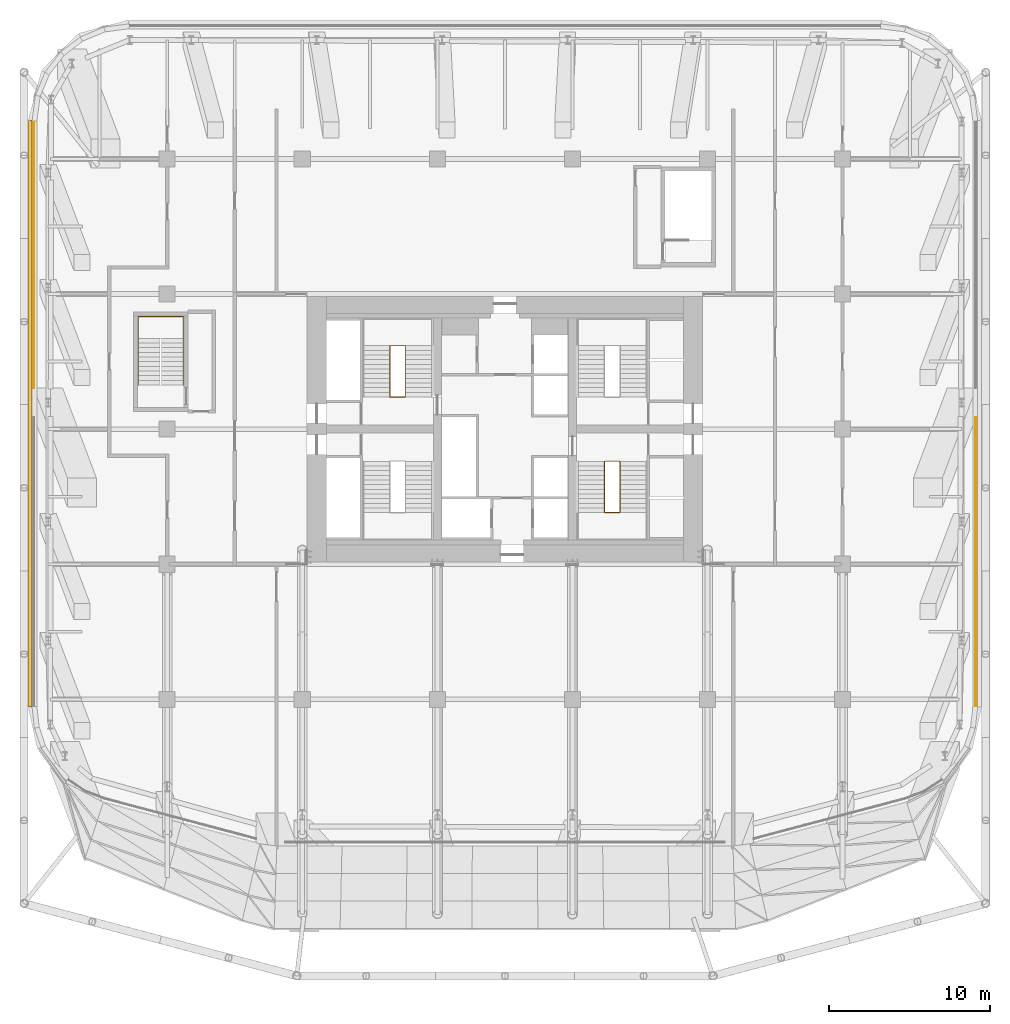
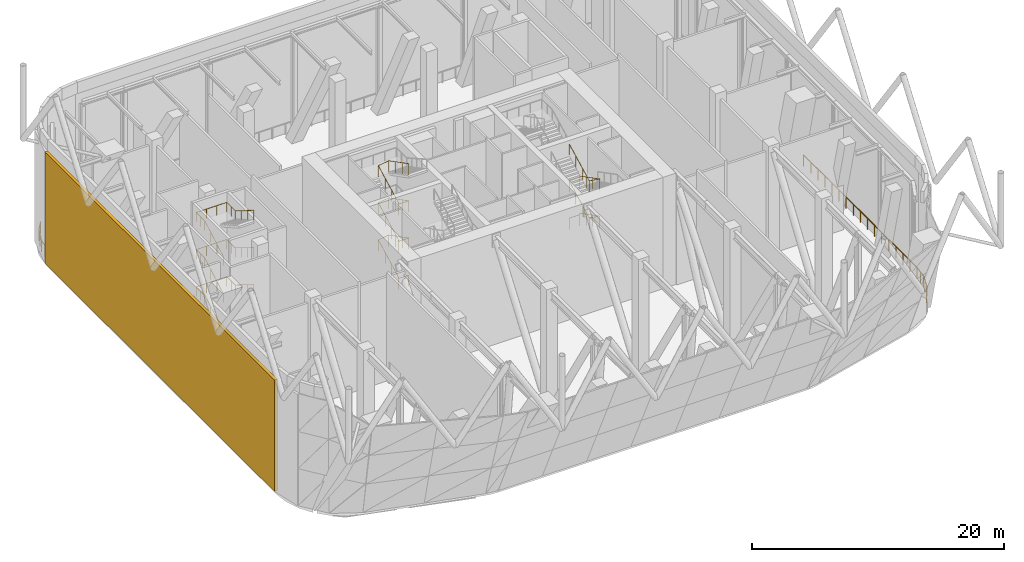
# One storey, part 17 of 19: 10 railings, 1 shading device.
"""IFC4 building model written with IfcOpenShell, lengths in metres."""

from ifc_helpers import new_model, si_unit, direction, frame, frame_2d, origin, origin_2d, place, context, subcontext, project, spatial, rectangle, circle, extrude, material, layer, layer_set, type_object, element, save


model = new_model("IFC4")

# Units and contexts
model_context = context("Model", 3, precision=1e-05, world=origin(), true_north=direction((0.0, 1.0)))
body_context = subcontext(model_context, "Body", "Model", "MODEL_VIEW")
ifc_project = project(units=[si_unit("LENGTHUNIT", "METRE"), si_unit("AREAUNIT", "SQUARE_METRE"), si_unit("VOLUMEUNIT", "CUBIC_METRE"), si_unit("PLANEANGLEUNIT", "RADIAN"), si_unit("MASSUNIT", "GRAM", prefix="KILO")], contexts=[model_context])

# Site, building, storey
site_placement = place(None, origin())
site = spatial("IfcSite", under=ifc_project, at=site_placement, CompositionType="ELEMENT")
building_placement = place(site_placement, origin())
building = spatial("IfcBuilding", under=site, at=building_placement, Name="Marenta Gate Hotel Tower", CompositionType="ELEMENT")
storey_placement = place(building_placement, frame((0.0, 0.0, 86.89990234375)))
storey = spatial("IfcBuildingStorey", under=building, at=storey_placement, Name="L20", CompositionType="ELEMENT", Elevation=86.89990234375)

# Railings
ifc_material_1 = material(Name="Stainless steel", Category="steel")
railing_type_1 = type_object("IfcRailingType", Name="Core stair handrail 950", PredefinedType="HANDRAIL", material=ifc_material_1)
railing_1_placement = place(storey_placement, frame((-22.800048828125, 11.14990234375, 0.163818359375)))
element("IfcRailing", 1, at=railing_1_placement, inside=storey, type_object=railing_type_1, Name="HR-950 L20-RS-Z1-3-KR-1", PredefinedType="HANDRAIL", context=body_context, shape_type="SweptSolid", body=[
    extrude(circle(Radius=0.02392578125, at=origin_2d()), frame((0.0, 0.0, 0.92578125), z_axis=(0.0, 0.870946286338, 0.49137823142), x_axis=(-1.0, 0.0, 0.0)), (0.0, 0.0, 1.0), 3.329833984375),
    extrude(circle(Radius=0.02392578125, at=origin_2d()), frame((0.0, 2.900146484375, 2.56201171875), z_axis=(0.0, 1.0, 0.0), x_axis=(-1.0, 0.0, 0.0)), (0.0, 0.0, 1.0), 1.349853515625),
    extrude(circle(Radius=0.02392578125, at=origin_2d()), frame((0.0, 4.25, 2.56201171875), z_axis=(1.0, 0.0, 0.0), x_axis=(0.0, 1.0, 0.0)), (0.0, 0.0, 1.0), 2.800048828125),
    extrude(circle(Radius=0.02392578125, at=origin_2d()), frame((2.800048828125, 4.25, 2.56201171875), z_axis=(0.0, -1.0, 0.0), x_axis=(1.0, 0.0, 0.0)), (0.0, 0.0, 1.0), 1.349853515625),
    extrude(circle(Radius=0.02392578125, at=origin_2d()), frame((2.800048828125, 2.900146484375, 2.56201171875), z_axis=(0.0, -0.849645691689, 0.527353959494), x_axis=(1.0, 0.0, 0.0)), (0.0, 0.0, 1.0), 3.413330078125),
    extrude(circle(Radius=0.02099609375, at=origin_2d()), origin(), (0.0, 0.0, 1.0), 0.90185546875),
    extrude(circle(Radius=0.02099609375, at=origin_2d()), frame((0.0, 0.966796875, 0.54541015625)), (0.0, 0.0, 1.0), 0.90185546875),
    extrude(circle(Radius=0.02099609375, at=origin_2d()), frame((0.0, 1.933349609375, 1.0908203125)), (0.0, 0.0, 1.0), 0.90185546875),
    extrude(circle(Radius=0.02099609375, at=origin_2d()), frame((0.0, 2.900146484375, 1.63623046875)), (0.0, 0.0, 1.0), 0.90185546875),
    extrude(circle(Radius=0.02099609375, at=origin_2d()), frame((0.0, 3.5751953125, 1.63623046875)), (0.0, 0.0, 1.0), 0.90185546875),
    extrude(circle(Radius=0.02099609375, at=origin_2d()), frame((0.0, 4.25, 1.63623046875)), (0.0, 0.0, 1.0), 0.90185546875),
    extrude(circle(Radius=0.02099609375, at=origin_2d()), frame((0.933349609375, 4.25, 1.63623046875)), (0.0, 0.0, 1.0), 0.90185546875),
    extrude(circle(Radius=0.02099609375, at=origin_2d()), frame((1.86669921875, 4.25, 1.63623046875)), (0.0, 0.0, 1.0), 0.90185546875),
    extrude(circle(Radius=0.02099609375, at=origin_2d()), frame((2.800048828125, 4.25, 1.63623046875)), (0.0, 0.0, 1.0), 0.90185546875),
    extrude(circle(Radius=0.02099609375, at=origin_2d()), frame((2.800048828125, 3.5751953125, 1.63623046875)), (0.0, 0.0, 1.0), 0.90185546875),
    extrude(circle(Radius=0.02099609375, at=origin_2d()), frame((2.800048828125, 2.900146484375, 1.63623046875)), (0.0, 0.0, 1.0), 0.90185546875),
    extrude(circle(Radius=0.02099609375, at=origin_2d()), frame((2.800048828125, 1.933349609375, 2.236328125)), (0.0, 0.0, 1.0), 0.90185546875),
    extrude(circle(Radius=0.02099609375, at=origin_2d()), frame((2.800048828125, 0.966796875, 2.836181640625)), (0.0, 0.0, 1.0), 0.90185546875),
    extrude(circle(Radius=0.02099609375, at=origin_2d()), frame((2.800048828125, 0.0, 3.436279296875)), (0.0, 0.0, 1.0), 0.90185546875),
])
railing_2_placement = place(storey_placement, frame((-22.800048828125, 11.14990234375, 3.763671875)))
element("IfcRailing", 2, at=railing_2_placement, inside=storey, type_object=railing_type_1, Name="HR-950 L20-RS-Z1-3-KR-2", PredefinedType="HANDRAIL", context=body_context, shape_type="SweptSolid", body=[
    extrude(circle(Radius=0.02392578125, at=origin_2d()), frame((0.0, 0.0, 0.92578125), z_axis=(0.0, 0.870914908162, 0.491433843708), x_axis=(-1.0, 0.0, 0.0)), (0.0, 0.0, 1.0), 3.330078125),
    extrude(circle(Radius=0.02392578125, at=origin_2d()), frame((0.0, 2.900146484375, 2.5625), z_axis=(0.0, 1.0, 0.0), x_axis=(-1.0, 0.0, 0.0)), (0.0, 0.0, 1.0), 1.349853515625),
    extrude(circle(Radius=0.02392578125, at=origin_2d()), frame((0.0, 4.25, 2.5625), z_axis=(1.0, 0.0, 0.0), x_axis=(0.0, 1.0, 0.0)), (0.0, 0.0, 1.0), 2.800048828125),
    extrude(circle(Radius=0.02392578125, at=origin_2d()), frame((2.800048828125, 4.25, 2.5625), z_axis=(0.0, -1.0, 0.0), x_axis=(1.0, 0.0, 0.0)), (0.0, 0.0, 1.0), 1.349853515625),
    extrude(circle(Radius=0.02392578125, at=origin_2d()), frame((2.800048828125, 2.900146484375, 2.5625), z_axis=(0.0, -0.849645691689, 0.527353959494), x_axis=(1.0, 0.0, 0.0)), (0.0, 0.0, 1.0), 3.413330078125),
    extrude(circle(Radius=0.02099609375, at=origin_2d()), origin(), (0.0, 0.0, 1.0), 0.90185546875),
    extrude(circle(Radius=0.02099609375, at=origin_2d()), frame((0.0, 0.966796875, 0.54541015625)), (0.0, 0.0, 1.0), 0.90185546875),
    extrude(circle(Radius=0.02099609375, at=origin_2d()), frame((0.0, 1.933349609375, 1.091064453125)), (0.0, 0.0, 1.0), 0.90185546875),
    extrude(circle(Radius=0.02099609375, at=origin_2d()), frame((0.0, 2.900146484375, 1.636474609375)), (0.0, 0.0, 1.0), 0.90185546875),
    extrude(circle(Radius=0.02099609375, at=origin_2d()), frame((0.0, 3.5751953125, 1.636474609375)), (0.0, 0.0, 1.0), 0.90185546875),
    extrude(circle(Radius=0.02099609375, at=origin_2d()), frame((0.0, 4.25, 1.636474609375)), (0.0, 0.0, 1.0), 0.90185546875),
    extrude(circle(Radius=0.02099609375, at=origin_2d()), frame((0.933349609375, 4.25, 1.636474609375)), (0.0, 0.0, 1.0), 0.90185546875),
    extrude(circle(Radius=0.02099609375, at=origin_2d()), frame((1.86669921875, 4.25, 1.636474609375)), (0.0, 0.0, 1.0), 0.90185546875),
    extrude(circle(Radius=0.02099609375, at=origin_2d()), frame((2.800048828125, 4.25, 1.636474609375)), (0.0, 0.0, 1.0), 0.90185546875),
    extrude(circle(Radius=0.02099609375, at=origin_2d()), frame((2.800048828125, 3.5751953125, 1.636474609375)), (0.0, 0.0, 1.0), 0.90185546875),
    extrude(circle(Radius=0.02099609375, at=origin_2d()), frame((2.800048828125, 2.900146484375, 1.636474609375)), (0.0, 0.0, 1.0), 0.90185546875),
    extrude(circle(Radius=0.02099609375, at=origin_2d()), frame((2.800048828125, 1.933349609375, 2.236572265625)), (0.0, 0.0, 1.0), 0.90185546875),
    extrude(circle(Radius=0.02099609375, at=origin_2d()), frame((2.800048828125, 0.966796875, 2.83642578125)), (0.0, 0.0, 1.0), 0.90185546875),
    extrude(circle(Radius=0.02099609375, at=origin_2d()), frame((2.800048828125, 0.0, 3.4365234375)), (0.0, 0.0, 1.0), 0.90185546875),
])
railing_3_placement = place(storey_placement, frame((-22.800048828125, 11.14990234375, 7.36376953125)))
element("IfcRailing", 3, at=railing_3_placement, inside=storey, type_object=railing_type_1, Name="HR-950 L20-RS-Z1-3-KR-3", PredefinedType="HANDRAIL", context=body_context, shape_type="SweptSolid", body=[
    extrude(circle(Radius=0.02392578125, at=origin_2d()), frame((0.0, 0.0, 0.92578125), z_axis=(0.0, 0.870946286338, 0.49137823142), x_axis=(-1.0, 0.0, 0.0)), (0.0, 0.0, 1.0), 3.329833984375),
    extrude(circle(Radius=0.02392578125, at=origin_2d()), frame((0.0, 2.900146484375, 2.56201171875), z_axis=(0.0, 1.0, 0.0), x_axis=(-1.0, 0.0, 0.0)), (0.0, 0.0, 1.0), 1.349853515625),
    extrude(circle(Radius=0.02392578125, at=origin_2d()), frame((0.0, 4.25, 2.56201171875), z_axis=(1.0, 0.0, 0.0), x_axis=(0.0, 1.0, 0.0)), (0.0, 0.0, 1.0), 2.800048828125),
    extrude(circle(Radius=0.02392578125, at=origin_2d()), frame((2.800048828125, 4.25, 2.56201171875), z_axis=(0.0, -1.0, 0.0), x_axis=(1.0, 0.0, 0.0)), (0.0, 0.0, 1.0), 1.349853515625),
    extrude(circle(Radius=0.02392578125, at=origin_2d()), frame((2.800048828125, 2.900146484375, 2.56201171875), z_axis=(0.0, -0.849645691689, 0.527353959494), x_axis=(1.0, 0.0, 0.0)), (0.0, 0.0, 1.0), 3.413330078125),
    extrude(circle(Radius=0.02099609375, at=origin_2d()), origin(), (0.0, 0.0, 1.0), 0.90185546875),
    extrude(circle(Radius=0.02099609375, at=origin_2d()), frame((0.0, 0.966796875, 0.54541015625)), (0.0, 0.0, 1.0), 0.90185546875),
    extrude(circle(Radius=0.02099609375, at=origin_2d()), frame((0.0, 1.933349609375, 1.0908203125)), (0.0, 0.0, 1.0), 0.90185546875),
    extrude(circle(Radius=0.02099609375, at=origin_2d()), frame((0.0, 2.900146484375, 1.63623046875)), (0.0, 0.0, 1.0), 0.90185546875),
    extrude(circle(Radius=0.02099609375, at=origin_2d()), frame((0.0, 3.5751953125, 1.63623046875)), (0.0, 0.0, 1.0), 0.90185546875),
    extrude(circle(Radius=0.02099609375, at=origin_2d()), frame((0.0, 4.25, 1.63623046875)), (0.0, 0.0, 1.0), 0.90185546875),
    extrude(circle(Radius=0.02099609375, at=origin_2d()), frame((0.933349609375, 4.25, 1.63623046875)), (0.0, 0.0, 1.0), 0.90185546875),
    extrude(circle(Radius=0.02099609375, at=origin_2d()), frame((1.86669921875, 4.25, 1.63623046875)), (0.0, 0.0, 1.0), 0.90185546875),
    extrude(circle(Radius=0.02099609375, at=origin_2d()), frame((2.800048828125, 4.25, 1.63623046875)), (0.0, 0.0, 1.0), 0.90185546875),
    extrude(circle(Radius=0.02099609375, at=origin_2d()), frame((2.800048828125, 3.5751953125, 1.63623046875)), (0.0, 0.0, 1.0), 0.90185546875),
    extrude(circle(Radius=0.02099609375, at=origin_2d()), frame((2.800048828125, 2.900146484375, 1.63623046875)), (0.0, 0.0, 1.0), 0.90185546875),
    extrude(circle(Radius=0.02099609375, at=origin_2d()), frame((2.800048828125, 1.933349609375, 2.236328125)), (0.0, 0.0, 1.0), 0.90185546875),
    extrude(circle(Radius=0.02099609375, at=origin_2d()), frame((2.800048828125, 0.966796875, 2.836181640625)), (0.0, 0.0, 1.0), 0.90185546875),
    extrude(circle(Radius=0.02099609375, at=origin_2d()), frame((2.800048828125, 0.0, 3.436279296875)), (0.0, 0.0, 1.0), 0.90185546875),
])
ifc_material_2 = material(Name="Stainless steel", Category="steel")
railing_type_2 = type_object("IfcRailingType", Name="Core stair well guard 1100", PredefinedType="GUARDRAIL", material=ifc_material_2)
railing_4_placement = place(storey_placement, frame((-6.199951171875, 10.39990234375, 0.0)))
element("IfcRailing", 4, at=railing_4_placement, inside=storey, type_object=railing_type_2, Name="GR-1100 L20-KR-ST2-2", PredefinedType="GUARDRAIL", context=body_context, shape_type="SweptSolid", body=[
    extrude(circle(Radius=0.02392578125, at=origin_2d()), frame((0.0, 0.0, 1.076171875), z_axis=(-1.0, 0.0, 0.0), x_axis=(0.0, -1.0, 0.0)), (0.0, 0.0, 1.0), 0.949951171875),
    extrude(circle(Radius=0.02392578125, at=origin_2d()), frame((-0.949951171875, 0.0, 1.076171875), z_axis=(0.0, 0.0, 1.0), x_axis=(1.0, 0.0, 0.0)), (0.0, 0.0, 1.0), 0.150146484375),
    extrude(circle(Radius=0.02392578125, at=origin_2d()), frame((-0.949951171875, 0.0, 1.22607421875), z_axis=(0.0, 0.888239641807, 0.459380385653), x_axis=(-1.0, 0.0, 0.0)), (0.0, 0.0, 1.0), 3.591552734375),
    extrude(circle(Radius=0.02392578125, at=origin_2d()), frame((-0.949951171875, 3.190185546875, 2.8759765625), z_axis=(0.987738253826, 0.0, 0.156118999255), x_axis=(0.0, 1.0, 0.0)), (0.0, 0.0, 1.0), 0.961669921875),
    extrude(circle(Radius=0.02392578125, at=origin_2d()), frame((0.0, 3.190185546875, 3.0263671875), z_axis=(0.0, -0.888239641807, 0.459380385653), x_axis=(1.0, 0.0, 0.0)), (0.0, 0.0, 1.0), 3.591552734375),
    extrude(circle(Radius=0.02099609375, at=origin_2d()), origin(), (0.0, 0.0, 1.0), 1.052001953125),
    extrude(circle(Radius=0.02099609375, at=origin_2d()), frame((-0.949951171875, 0.0, 0.0)), (0.0, 0.0, 1.0), 1.052001953125),
    extrude(circle(Radius=0.02099609375, at=origin_2d()), frame((-0.949951171875, 0.0, 0.150146484375)), (0.0, 0.0, 1.0), 1.052001953125),
    extrude(circle(Radius=0.02099609375, at=origin_2d()), frame((-0.949951171875, 1.0634765625, 0.7001953125)), (0.0, 0.0, 1.0), 1.052001953125),
    extrude(circle(Radius=0.02099609375, at=origin_2d()), frame((-0.949951171875, 2.126708984375, 1.25)), (0.0, 0.0, 1.0), 1.052001953125),
    extrude(circle(Radius=0.02099609375, at=origin_2d()), frame((-0.949951171875, 3.190185546875, 1.800048828125)), (0.0, 0.0, 1.0), 1.052001953125),
    extrude(circle(Radius=0.02099609375, at=origin_2d()), frame((0.0, 3.190185546875, 1.9501953125)), (0.0, 0.0, 1.0), 1.052001953125),
    extrude(circle(Radius=0.02099609375, at=origin_2d()), frame((0.0, 2.126708984375, 2.500244140625)), (0.0, 0.0, 1.0), 1.052001953125),
    extrude(circle(Radius=0.02099609375, at=origin_2d()), frame((0.0, 1.0634765625, 3.050048828125)), (0.0, 0.0, 1.0), 1.052001953125),
    extrude(circle(Radius=0.02099609375, at=origin_2d()), frame((0.0, 0.0, 3.60009765625)), (0.0, 0.0, 1.0), 1.052001953125),
])
railing_5_placement = place(storey_placement, frame((-6.199951171875, 10.39990234375, 3.60009765625)))
element("IfcRailing", 5, at=railing_5_placement, inside=storey, type_object=railing_type_2, Name="GR-1100 L20-KR-ST2-4", PredefinedType="GUARDRAIL", context=body_context, shape_type="SweptSolid", body=[
    extrude(circle(Radius=0.02392578125, at=origin_2d()), frame((0.0, 0.0, 1.076171875), z_axis=(-1.0, 0.0, 0.0), x_axis=(0.0, -1.0, 0.0)), (0.0, 0.0, 1.0), 0.949951171875),
    extrude(circle(Radius=0.02392578125, at=origin_2d()), frame((-0.949951171875, 0.0, 1.076171875), z_axis=(0.0, 0.0, 1.0), x_axis=(1.0, 0.0, 0.0)), (0.0, 0.0, 1.0), 0.14990234375),
    extrude(circle(Radius=0.02392578125, at=origin_2d()), frame((-0.949951171875, 0.0, 1.22607421875), z_axis=(0.0, 0.888211904222, 0.459434013977), x_axis=(-1.0, 0.0, 0.0)), (0.0, 0.0, 1.0), 3.591796875),
    extrude(circle(Radius=0.02392578125, at=origin_2d()), frame((-0.949951171875, 3.190185546875, 2.8759765625), z_axis=(0.987777369502, 0.0, 0.15587131968), x_axis=(0.0, 1.0, 0.0)), (0.0, 0.0, 1.0), 0.961669921875),
    extrude(circle(Radius=0.02392578125, at=origin_2d()), frame((0.0, 3.190185546875, 3.02587890625), z_axis=(0.0, -0.888211904222, 0.459434013977), x_axis=(1.0, 0.0, 0.0)), (0.0, 0.0, 1.0), 3.591796875),
    extrude(circle(Radius=0.02099609375, at=origin_2d()), origin(), (0.0, 0.0, 1.0), 1.052001953125),
    extrude(circle(Radius=0.02099609375, at=origin_2d()), frame((-0.949951171875, 0.0, 0.0)), (0.0, 0.0, 1.0), 1.052001953125),
    extrude(circle(Radius=0.02099609375, at=origin_2d()), frame((-0.949951171875, 0.0, 0.14990234375)), (0.0, 0.0, 1.0), 1.052001953125),
    extrude(circle(Radius=0.02099609375, at=origin_2d()), frame((-0.949951171875, 1.0634765625, 0.699951171875)), (0.0, 0.0, 1.0), 1.052001953125),
    extrude(circle(Radius=0.02099609375, at=origin_2d()), frame((-0.949951171875, 2.126708984375, 1.25)), (0.0, 0.0, 1.0), 1.052001953125),
    extrude(circle(Radius=0.02099609375, at=origin_2d()), frame((-0.949951171875, 3.190185546875, 1.800048828125)), (0.0, 0.0, 1.0), 1.052001953125),
    extrude(circle(Radius=0.02099609375, at=origin_2d()), frame((0.0, 3.190185546875, 1.949951171875)), (0.0, 0.0, 1.0), 1.052001953125),
    extrude(circle(Radius=0.02099609375, at=origin_2d()), frame((0.0, 2.126708984375, 2.5)), (0.0, 0.0, 1.0), 1.052001953125),
    extrude(circle(Radius=0.02099609375, at=origin_2d()), frame((0.0, 1.0634765625, 3.050048828125)), (0.0, 0.0, 1.0), 1.052001953125),
    extrude(circle(Radius=0.02099609375, at=origin_2d()), frame((0.0, 0.0, 3.60009765625)), (0.0, 0.0, 1.0), 1.052001953125),
])
railing_6_placement = place(storey_placement, frame((-6.199951171875, 10.39990234375, 7.2001953125)))
element("IfcRailing", 6, at=railing_6_placement, inside=storey, type_object=railing_type_2, Name="GR-1100 L20-KR-ST2-6", PredefinedType="GUARDRAIL", context=body_context, shape_type="SweptSolid", body=[
    extrude(circle(Radius=0.02392578125, at=origin_2d()), frame((0.0, 0.0, 1.076171875), z_axis=(-1.0, 0.0, 0.0), x_axis=(0.0, -1.0, 0.0)), (0.0, 0.0, 1.0), 0.949951171875),
    extrude(circle(Radius=0.02392578125, at=origin_2d()), frame((-0.949951171875, 0.0, 1.076171875), z_axis=(0.0, 0.0, 1.0), x_axis=(1.0, 0.0, 0.0)), (0.0, 0.0, 1.0), 0.14990234375),
    extrude(circle(Radius=0.02392578125, at=origin_2d()), frame((-0.949951171875, 0.0, 1.22607421875), z_axis=(0.0, 0.888239641807, 0.459380385653), x_axis=(-1.0, 0.0, 0.0)), (0.0, 0.0, 1.0), 3.591552734375),
    extrude(circle(Radius=0.02392578125, at=origin_2d()), frame((-0.949951171875, 3.190185546875, 2.8759765625), z_axis=(0.987738253826, 0.0, 0.156118999255), x_axis=(0.0, 1.0, 0.0)), (0.0, 0.0, 1.0), 0.961669921875),
    extrude(circle(Radius=0.02392578125, at=origin_2d()), frame((0.0, 3.190185546875, 3.02587890625), z_axis=(0.0, -0.888239641807, 0.459380385653), x_axis=(1.0, 0.0, 0.0)), (0.0, 0.0, 1.0), 3.591552734375),
    extrude(circle(Radius=0.02099609375, at=origin_2d()), origin(), (0.0, 0.0, 1.0), 1.052001953125),
    extrude(circle(Radius=0.02099609375, at=origin_2d()), frame((-0.949951171875, 0.0, 0.0)), (0.0, 0.0, 1.0), 1.052001953125),
    extrude(circle(Radius=0.02099609375, at=origin_2d()), frame((-0.949951171875, 0.0, 0.14990234375)), (0.0, 0.0, 1.0), 1.052001953125),
    extrude(circle(Radius=0.02099609375, at=origin_2d()), frame((-0.949951171875, 1.0634765625, 0.699951171875)), (0.0, 0.0, 1.0), 1.052001953125),
    extrude(circle(Radius=0.02099609375, at=origin_2d()), frame((-0.949951171875, 2.126708984375, 1.249755859375)), (0.0, 0.0, 1.0), 1.052001953125),
    extrude(circle(Radius=0.02099609375, at=origin_2d()), frame((-0.949951171875, 3.190185546875, 1.7998046875)), (0.0, 0.0, 1.0), 1.052001953125),
    extrude(circle(Radius=0.02099609375, at=origin_2d()), frame((0.0, 3.190185546875, 1.949951171875)), (0.0, 0.0, 1.0), 1.052001953125),
    extrude(circle(Radius=0.02099609375, at=origin_2d()), frame((0.0, 2.126708984375, 2.5)), (0.0, 0.0, 1.0), 1.052001953125),
    extrude(circle(Radius=0.02099609375, at=origin_2d()), frame((0.0, 1.0634765625, 3.0498046875)), (0.0, 0.0, 1.0), 1.052001953125),
    extrude(circle(Radius=0.02099609375, at=origin_2d()), frame((0.0, 0.0, 3.599853515625)), (0.0, 0.0, 1.0), 1.052001953125),
])
railing_7_placement = place(storey_placement, frame((6.199951171875, 6.39990234375, 3.60009765625)))
element("IfcRailing", 7, at=railing_7_placement, inside=storey, type_object=railing_type_2, Name="GR-1100 L20-KR-ST3-4", PredefinedType="GUARDRAIL", context=body_context, shape_type="SweptSolid", body=[
    extrude(circle(Radius=0.02392578125, at=origin_2d()), frame((0.0, 0.0, 1.076171875), z_axis=(1.0, 0.0, 0.0), x_axis=(0.0, 1.0, 0.0)), (0.0, 0.0, 1.0), 0.949951171875),
    extrude(circle(Radius=0.02392578125, at=origin_2d()), frame((0.949951171875, 0.0, 1.076171875), z_axis=(0.0, 0.0, 1.0), x_axis=(1.0, 0.0, 0.0)), (0.0, 0.0, 1.0), 0.14990234375),
    extrude(circle(Radius=0.02392578125, at=origin_2d()), frame((0.949951171875, 0.0, 1.22607421875), z_axis=(0.0, -0.888197555067, 0.459461753765), x_axis=(1.0, 0.0, 0.0)), (0.0, 0.0, 1.0), 3.591552734375),
    extrude(circle(Radius=0.02392578125, at=origin_2d()), frame((0.949951171875, -3.18994140625, 2.8759765625), z_axis=(-0.987777369502, 0.0, 0.15587131968), x_axis=(0.0, -1.0, 0.0)), (0.0, 0.0, 1.0), 0.961669921875),
    extrude(circle(Radius=0.02392578125, at=origin_2d()), frame((0.0, -3.18994140625, 3.02587890625), z_axis=(0.0, 0.888197555067, 0.459461753765), x_axis=(-1.0, 0.0, 0.0)), (0.0, 0.0, 1.0), 3.591552734375),
    extrude(circle(Radius=0.02099609375, at=origin_2d()), origin(), (0.0, 0.0, 1.0), 1.052001953125),
    extrude(circle(Radius=0.02099609375, at=origin_2d()), frame((0.949951171875, 0.0, 0.0)), (0.0, 0.0, 1.0), 1.052001953125),
    extrude(circle(Radius=0.02099609375, at=origin_2d()), frame((0.949951171875, 0.0, 0.14990234375)), (0.0, 0.0, 1.0), 1.052001953125),
    extrude(circle(Radius=0.02099609375, at=origin_2d()), frame((0.949951171875, -1.063232421875, 0.699951171875)), (0.0, 0.0, 1.0), 1.052001953125),
    extrude(circle(Radius=0.02099609375, at=origin_2d()), frame((0.949951171875, -2.126708984375, 1.25)), (0.0, 0.0, 1.0), 1.052001953125),
    extrude(circle(Radius=0.02099609375, at=origin_2d()), frame((0.949951171875, -3.18994140625, 1.800048828125)), (0.0, 0.0, 1.0), 1.052001953125),
    extrude(circle(Radius=0.02099609375, at=origin_2d()), frame((0.0, -3.18994140625, 1.949951171875)), (0.0, 0.0, 1.0), 1.052001953125),
    extrude(circle(Radius=0.02099609375, at=origin_2d()), frame((0.0, -2.126708984375, 2.5)), (0.0, 0.0, 1.0), 1.052001953125),
    extrude(circle(Radius=0.02099609375, at=origin_2d()), frame((0.0, -1.063232421875, 3.050048828125)), (0.0, 0.0, 1.0), 1.052001953125),
    extrude(circle(Radius=0.02099609375, at=origin_2d()), frame((0.0, 0.0, 3.60009765625)), (0.0, 0.0, 1.0), 1.052001953125),
])
railing_8_placement = place(storey_placement, frame((6.199951171875, 6.39990234375, 7.2001953125)))
element("IfcRailing", 8, at=railing_8_placement, inside=storey, type_object=railing_type_2, Name="GR-1100 L20-KR-ST3-6", PredefinedType="GUARDRAIL", context=body_context, shape_type="SweptSolid", body=[
    extrude(circle(Radius=0.02392578125, at=origin_2d()), frame((0.0, 0.0, 1.076171875), z_axis=(1.0, 0.0, 0.0), x_axis=(0.0, 1.0, 0.0)), (0.0, 0.0, 1.0), 0.949951171875),
    extrude(circle(Radius=0.02392578125, at=origin_2d()), frame((0.949951171875, 0.0, 1.076171875), z_axis=(0.0, 0.0, 1.0), x_axis=(1.0, 0.0, 0.0)), (0.0, 0.0, 1.0), 0.14990234375),
    extrude(circle(Radius=0.02392578125, at=origin_2d()), frame((0.949951171875, 0.0, 1.22607421875), z_axis=(0.0, -0.888225295554, 0.459408123936), x_axis=(1.0, 0.0, 0.0)), (0.0, 0.0, 1.0), 3.59130859375),
    extrude(circle(Radius=0.02392578125, at=origin_2d()), frame((0.949951171875, -3.18994140625, 2.8759765625), z_axis=(-0.987738253826, 0.0, 0.156118999255), x_axis=(0.0, -1.0, 0.0)), (0.0, 0.0, 1.0), 0.961669921875),
    extrude(circle(Radius=0.02392578125, at=origin_2d()), frame((0.0, -3.18994140625, 3.02587890625), z_axis=(0.0, 0.888225295554, 0.459408123936), x_axis=(-1.0, 0.0, 0.0)), (0.0, 0.0, 1.0), 3.59130859375),
    extrude(circle(Radius=0.02099609375, at=origin_2d()), origin(), (0.0, 0.0, 1.0), 1.052001953125),
    extrude(circle(Radius=0.02099609375, at=origin_2d()), frame((0.949951171875, 0.0, 0.0)), (0.0, 0.0, 1.0), 1.052001953125),
    extrude(circle(Radius=0.02099609375, at=origin_2d()), frame((0.949951171875, 0.0, 0.14990234375)), (0.0, 0.0, 1.0), 1.052001953125),
    extrude(circle(Radius=0.02099609375, at=origin_2d()), frame((0.949951171875, -1.063232421875, 0.699951171875)), (0.0, 0.0, 1.0), 1.052001953125),
    extrude(circle(Radius=0.02099609375, at=origin_2d()), frame((0.949951171875, -2.126708984375, 1.249755859375)), (0.0, 0.0, 1.0), 1.052001953125),
    extrude(circle(Radius=0.02099609375, at=origin_2d()), frame((0.949951171875, -3.18994140625, 1.7998046875)), (0.0, 0.0, 1.0), 1.052001953125),
    extrude(circle(Radius=0.02099609375, at=origin_2d()), frame((0.0, -3.18994140625, 1.949951171875)), (0.0, 0.0, 1.0), 1.052001953125),
    extrude(circle(Radius=0.02099609375, at=origin_2d()), frame((0.0, -2.126708984375, 2.5)), (0.0, 0.0, 1.0), 1.052001953125),
    extrude(circle(Radius=0.02099609375, at=origin_2d()), frame((0.0, -1.063232421875, 3.0498046875)), (0.0, 0.0, 1.0), 1.052001953125),
    extrude(circle(Radius=0.02099609375, at=origin_2d()), frame((0.0, 0.0, 3.599853515625)), (0.0, 0.0, 1.0), 1.052001953125),
])
ifc_material_3 = material(Name="Stainless steel", Category="steel")
railing_type_3 = type_object("IfcRailingType", Name="Guard 1100 stainless balustrade", PredefinedType="GUARDRAIL", material=ifc_material_3)
railing_9_placement = place(storey_placement, frame((-29.280029296875, 10.969970703125, 0.0)))
element("IfcRailing", 9, at=railing_9_placement, inside=storey, type_object=railing_type_3, Name="Guard", PredefinedType="GUARDRAIL", context=body_context, shape_type="SweptSolid", body=[
    extrude(circle(Radius=0.02392578125, at=origin_2d()), frame((0.0, 0.0, 1.076171875), z_axis=(0.0, 1.0, 0.0), x_axis=(-1.0, 0.0, 0.0)), (0.0, 0.0, 1.0), 16.6220703125),
    extrude(circle(Radius=0.02392578125, at=origin_2d()), frame((0.0, 16.6220703125, 1.076171875), z_axis=(0.130556852376, 0.991440824405, 0.0), x_axis=(-0.991440824405, 0.130556852376, 0.0)), (0.0, 0.0, 1.0), 1.542724609375),
    extrude(circle(Radius=0.02392578125, at=origin_2d()), frame((0.201416015625, 18.151611328125, 1.076171875), z_axis=(0.382581272365, 0.923921841952, 0.0), x_axis=(-0.923921841952, 0.382581272365, 0.0)), (0.0, 0.0, 1.0), 1.53466796875),
    extrude(circle(Radius=0.02392578125, at=origin_2d()), frame((0.78857421875, 19.569580078125, 1.076171875), z_axis=(0.608863254687, 0.793275196317, 0.0), x_axis=(-0.793275196317, 0.608863254687, 0.0)), (0.0, 0.0, 1.0), 1.04443359375),
    extrude(circle(Radius=0.02099609375, at=origin_2d()), origin(), (0.0, 0.0, 1.0), 1.052001953125),
    extrude(circle(Radius=0.02099609375, at=origin_2d()), frame((0.0, 1.187255859375, 0.0)), (0.0, 0.0, 1.0), 1.052001953125),
    extrude(circle(Radius=0.02099609375, at=origin_2d()), frame((0.0, 2.37451171875, 0.0)), (0.0, 0.0, 1.0), 1.052001953125),
    extrude(circle(Radius=0.02099609375, at=origin_2d()), frame((0.0, 3.561767578125, 0.0)), (0.0, 0.0, 1.0), 1.052001953125),
    extrude(circle(Radius=0.02099609375, at=origin_2d()), frame((0.0, 4.749267578125, 0.0)), (0.0, 0.0, 1.0), 1.052001953125),
    extrude(circle(Radius=0.02099609375, at=origin_2d()), frame((0.0, 5.9365234375, 0.0)), (0.0, 0.0, 1.0), 1.052001953125),
    extrude(circle(Radius=0.02099609375, at=origin_2d()), frame((0.0, 7.123779296875, 0.0)), (0.0, 0.0, 1.0), 1.052001953125),
    extrude(circle(Radius=0.02099609375, at=origin_2d()), frame((0.0, 8.31103515625, 0.0)), (0.0, 0.0, 1.0), 1.052001953125),
    extrude(circle(Radius=0.02099609375, at=origin_2d()), frame((0.0, 9.498291015625, 0.0)), (0.0, 0.0, 1.0), 1.052001953125),
    extrude(circle(Radius=0.02099609375, at=origin_2d()), frame((0.0, 10.685546875, 0.0)), (0.0, 0.0, 1.0), 1.052001953125),
    extrude(circle(Radius=0.02099609375, at=origin_2d()), frame((0.0, 11.872802734375, 0.0)), (0.0, 0.0, 1.0), 1.052001953125),
    extrude(circle(Radius=0.02099609375, at=origin_2d()), frame((0.0, 13.060302734375, 0.0)), (0.0, 0.0, 1.0), 1.052001953125),
    extrude(circle(Radius=0.02099609375, at=origin_2d()), frame((0.0, 14.24755859375, 0.0)), (0.0, 0.0, 1.0), 1.052001953125),
    extrude(circle(Radius=0.02099609375, at=origin_2d()), frame((0.0, 15.434814453125, 0.0)), (0.0, 0.0, 1.0), 1.052001953125),
    extrude(circle(Radius=0.02099609375, at=origin_2d()), frame((0.0, 16.6220703125, 0.0)), (0.0, 0.0, 1.0), 1.052001953125),
    extrude(circle(Radius=0.02099609375, at=origin_2d()), frame((0.1005859375, 17.38671875, 0.0)), (0.0, 0.0, 1.0), 1.052001953125),
    extrude(circle(Radius=0.02099609375, at=origin_2d()), frame((0.201416015625, 18.151611328125, 0.0)), (0.0, 0.0, 1.0), 1.052001953125),
    extrude(circle(Radius=0.02099609375, at=origin_2d()), frame((0.4951171875, 18.860595703125, 0.0)), (0.0, 0.0, 1.0), 1.052001953125),
    extrude(circle(Radius=0.02099609375, at=origin_2d()), frame((0.78857421875, 19.569580078125, 0.0)), (0.0, 0.0, 1.0), 1.052001953125),
    extrude(circle(Radius=0.02099609375, at=origin_2d()), frame((1.424560546875, 20.398193359375, 0.0)), (0.0, 0.0, 1.0), 1.052001953125),
])
railing_10_placement = place(storey_placement, frame((29.280029296875, 9.1298828125, 0.0)))
element("IfcRailing", 10, at=railing_10_placement, inside=storey, type_object=railing_type_3, Name="Guard", PredefinedType="GUARDRAIL", context=body_context, shape_type="SweptSolid", body=[
    extrude(circle(Radius=0.02392578125, at=origin_2d()), frame((0.0, 0.0, 1.076171875), z_axis=(0.0, -1.0, 0.0), x_axis=(1.0, 0.0, 0.0)), (0.0, 0.0, 1.0), 18.007568359375),
    extrude(circle(Radius=0.02392578125, at=origin_2d()), frame((0.0, -18.007568359375, 1.076171875), z_axis=(-0.109080390249, -0.994032931277, 0.0), x_axis=(0.994032931277, -0.109080390249, 0.0)), (0.0, 0.0, 1.0), 1.289306640625),
    extrude(circle(Radius=0.02392578125, at=origin_2d()), frame((-0.140625, -19.2890625, 1.076171875), z_axis=(-0.322104084184, -0.946704261611, 0.0), x_axis=(0.946704261611, -0.322104084184, 0.0)), (0.0, 0.0, 1.0), 1.282470703125),
    extrude(circle(Radius=0.02392578125, at=origin_2d()), frame((-0.5537109375, -20.503173828125, 1.076171875), z_axis=(-0.519620123596, -0.854397405868, 0.0), x_axis=(0.854397405868, -0.519620123596, 0.0)), (0.0, 0.0, 1.0), 0.853271484375),
    extrude(circle(Radius=0.02099609375, at=origin_2d()), origin(), (0.0, 0.0, 1.0), 1.052001953125),
    extrude(circle(Radius=0.02099609375, at=origin_2d()), frame((0.0, -1.12548828125, 0.0)), (0.0, 0.0, 1.0), 1.052001953125),
    extrude(circle(Radius=0.02099609375, at=origin_2d()), frame((0.0, -2.2509765625, 0.0)), (0.0, 0.0, 1.0), 1.052001953125),
    extrude(circle(Radius=0.02099609375, at=origin_2d()), frame((0.0, -3.37646484375, 0.0)), (0.0, 0.0, 1.0), 1.052001953125),
    extrude(circle(Radius=0.02099609375, at=origin_2d()), frame((0.0, -4.501953125, 0.0)), (0.0, 0.0, 1.0), 1.052001953125),
    extrude(circle(Radius=0.02099609375, at=origin_2d()), frame((0.0, -5.62744140625, 0.0)), (0.0, 0.0, 1.0), 1.052001953125),
    extrude(circle(Radius=0.02099609375, at=origin_2d()), frame((0.0, -6.7529296875, 0.0)), (0.0, 0.0, 1.0), 1.052001953125),
    extrude(circle(Radius=0.02099609375, at=origin_2d()), frame((0.0, -7.87841796875, 0.0)), (0.0, 0.0, 1.0), 1.052001953125),
    extrude(circle(Radius=0.02099609375, at=origin_2d()), frame((0.0, -9.00390625, 0.0)), (0.0, 0.0, 1.0), 1.052001953125),
    extrude(circle(Radius=0.02099609375, at=origin_2d()), frame((0.0, -10.129150390625, 0.0)), (0.0, 0.0, 1.0), 1.052001953125),
    extrude(circle(Radius=0.02099609375, at=origin_2d()), frame((0.0, -11.254638671875, 0.0)), (0.0, 0.0, 1.0), 1.052001953125),
    extrude(circle(Radius=0.02099609375, at=origin_2d()), frame((0.0, -12.380126953125, 0.0)), (0.0, 0.0, 1.0), 1.052001953125),
    extrude(circle(Radius=0.02099609375, at=origin_2d()), frame((0.0, -13.505615234375, 0.0)), (0.0, 0.0, 1.0), 1.052001953125),
    extrude(circle(Radius=0.02099609375, at=origin_2d()), frame((0.0, -14.631103515625, 0.0)), (0.0, 0.0, 1.0), 1.052001953125),
    extrude(circle(Radius=0.02099609375, at=origin_2d()), frame((0.0, -15.756591796875, 0.0)), (0.0, 0.0, 1.0), 1.052001953125),
    extrude(circle(Radius=0.02099609375, at=origin_2d()), frame((0.0, -16.882080078125, 0.0)), (0.0, 0.0, 1.0), 1.052001953125),
    extrude(circle(Radius=0.02099609375, at=origin_2d()), frame((0.0, -18.007568359375, 0.0)), (0.0, 0.0, 1.0), 1.052001953125),
    extrude(circle(Radius=0.02099609375, at=origin_2d()), frame((-0.0703125, -18.6484375, 0.0)), (0.0, 0.0, 1.0), 1.052001953125),
    extrude(circle(Radius=0.02099609375, at=origin_2d()), frame((-0.140625, -19.2890625, 0.0)), (0.0, 0.0, 1.0), 1.052001953125),
    extrude(circle(Radius=0.02099609375, at=origin_2d()), frame((-0.34716796875, -19.89599609375, 0.0)), (0.0, 0.0, 1.0), 1.052001953125),
    extrude(circle(Radius=0.02099609375, at=origin_2d()), frame((-0.5537109375, -20.503173828125, 0.0)), (0.0, 0.0, 1.0), 1.052001953125),
    extrude(circle(Radius=0.02099609375, at=origin_2d()), frame((-0.9970703125, -21.232177734375, 0.0)), (0.0, 0.0, 1.0), 1.052001953125),
])

# Shading device
ifc_material_4 = material(Name="Bronze anodised aluminium louvre", Category="aluminium")
ifc_layer = layer(ifc_material_4, 0.25)
ifc_layer_set = layer_set([ifc_layer], Name="Bronze anodised aluminium louvre")
shading_device_type = type_object("IfcShadingDeviceType", Name="Louvred plant screen 250 mm", PredefinedType="JALOUSIE", material=ifc_layer_set)
shading_device_placement = place(storey_placement, frame((-29.519775390625, 27.60791015625, 0.0), z_axis=(0.0, 0.0, 1.0), x_axis=(0.0, -1.0, 0.0)))
element("IfcShadingDevice", 11, at=shading_device_placement, inside=storey, type_object=shading_device_type, Name="Louvred plant screen", PredefinedType="JALOUSIE", context=body_context, shape_type="SweptSolid", body=[
    extrude(rectangle(XDim=36.498779296875, YDim=0.25, at=frame_2d((18.24951171875, 0.0))), origin(), (0.0, 0.0, 1.0), 10.800048828125),
])

save(model, "model.ifc")
